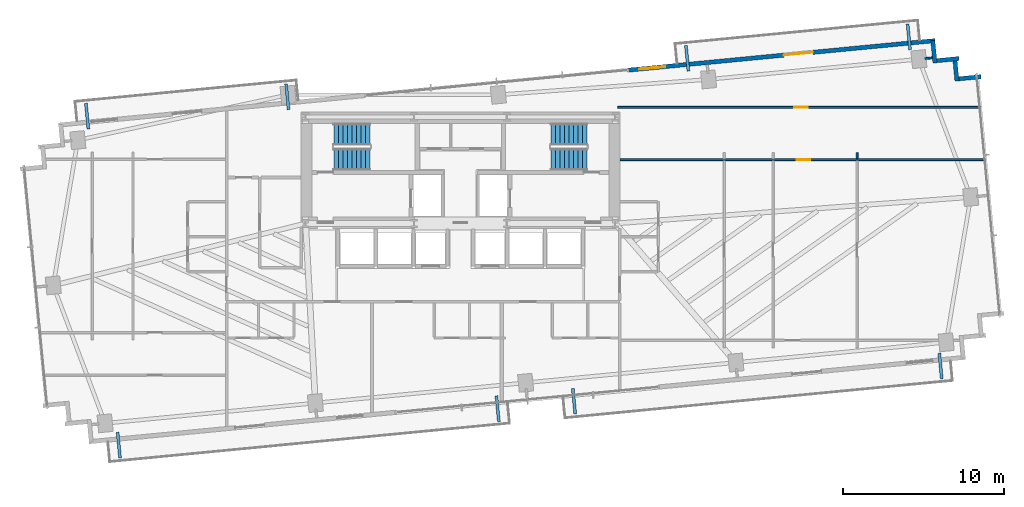
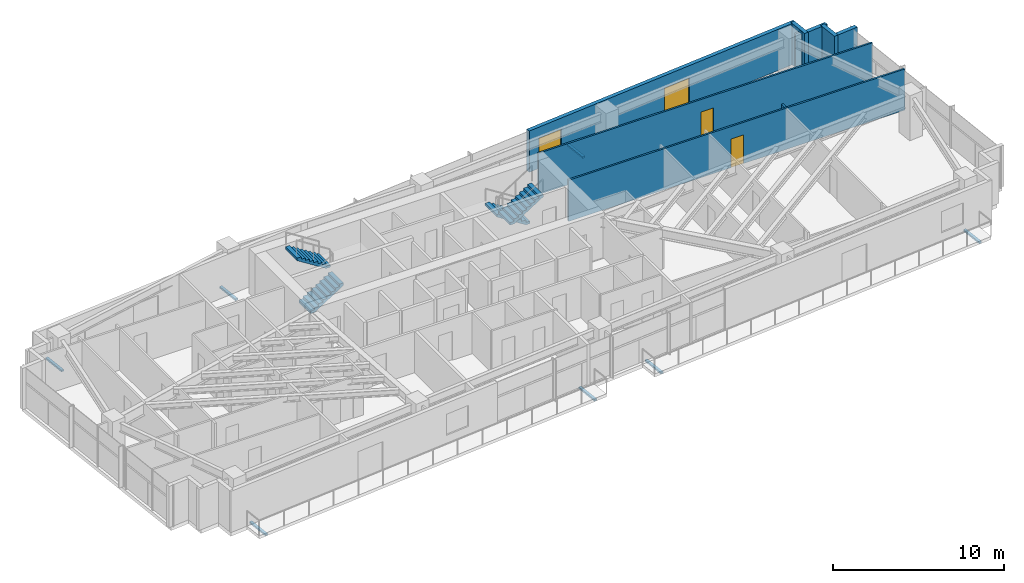
# One storey, part 22 of 25: 9 walls, 8 discrete accessories, 4 stair flights, 3 doors, 1 window, 4 openings, 2 elements without a shape of their own.
"""IFC4 building model written with IfcOpenShell, lengths in metres."""

from ifc_helpers import new_model, si_unit, direction, frame, frame_2d, origin, origin_2d, place, context, subcontext, project, spatial, polyline, rectangle, outline, extrude, source, transform, mapped, material, layer, layer_set, type_object, type_shapes, element, fill, aggregate, save


model = new_model("IFC4")

# Units and contexts
model_context = context("Model", 3, precision=1e-05, world=origin(), true_north=direction((0.0, 1.0)))
body_context = subcontext(model_context, "Body", "Model", "MODEL_VIEW")
ifc_project = project(units=[si_unit("LENGTHUNIT", "METRE"), si_unit("AREAUNIT", "SQUARE_METRE"), si_unit("VOLUMEUNIT", "CUBIC_METRE"), si_unit("PLANEANGLEUNIT", "RADIAN"), si_unit("MASSUNIT", "GRAM", prefix="KILO")], contexts=[model_context])

# Site, building, storey
site_placement = place(None, origin())
site = spatial("IfcSite", under=ifc_project, at=site_placement, CompositionType="ELEMENT")
building_placement = place(site_placement, origin())
building = spatial("IfcBuilding", under=site, at=building_placement, Name="Astriad Promenade Condominiums", CompositionType="ELEMENT")
storey_placement = place(building_placement, frame((0.0, 0.0, 100.199951171875)))
storey = spatial("IfcBuildingStorey", under=building, at=storey_placement, Name="L28", CompositionType="ELEMENT", Elevation=100.199951171875)

# Wall, openings, door, window
ifc_material_1 = material(Name="Precast concrete C50/60", Category="concrete")
ifc_layer_1 = layer(ifc_material_1, 0.260009765625)
ifc_layer_set_1 = layer_set([ifc_layer_1], Name="Precast concrete C50/60")
wall_type_1 = type_object("IfcWallType", Name="WALL-EXT-TWR-260", PredefinedType="STANDARD", material=ifc_layer_set_1)
wall_1_placement = place(storey_placement, frame((46.40625, 26.90966796875, 0.0), z_axis=(0.0, 0.0, 1.0), x_axis=(0.995396638587, 0.095841180552, 0.0)))
wall_1 = element("IfcWall", 1, at=wall_1_placement, inside=storey, type_object=wall_type_1, Name="W-EXT-L28-N2", PredefinedType="STANDARD", context=body_context, shape_type="SweptSolid", body=[
    extrude(rectangle(XDim=19.110107421875, YDim=0.260009765625, at=frame_2d((9.55517578125, 0.0))), origin(), (0.0, 0.0, 1.0), 2.93994140625),
])
opening_1_placement = place(wall_1_placement, frame((9.699951171875, 0.0, 0.0)))
opening_1 = element("IfcOpeningElement", 2, at=opening_1_placement, cuts=wall_1, Name="Opening BD-1822-SLD", PredefinedType="OPENING", context=body_context, shape_type="SweptSolid", body=[
    extrude(rectangle(XDim=1.800048828125, YDim=2.06005859375, at=frame_2d((0.89990234375, 1.030029296875))), frame((0.0, 0.139892578125, 0.0), z_axis=(0.0, -1.0, 0.0), x_axis=(1.0, 0.0, 0.0)), (0.0, 0.0, 1.0), 0.280029296875),
])
opening_2_placement = place(wall_1_placement, frame((0.699951171875, 0.0, 0.64990234375)))
opening_2 = element("IfcOpeningElement", 3, at=opening_2_placement, cuts=wall_1, Name="Opening WIN-TWR-1620", PredefinedType="OPENING", context=body_context, shape_type="SweptSolid", body=[
    extrude(rectangle(XDim=1.60009765625, YDim=1.5, at=frame_2d((0.800048828125, 0.75))), frame((0.0, 0.139892578125, 0.0), z_axis=(0.0, -1.0, 0.0), x_axis=(1.0, 0.0, 0.0)), (0.0, 0.0, 1.0), 0.280029296875),
])
ifc_material_2 = material(Name="Thermally Broken Aluminium Sliding Balcony Door", Category="aluminium")
door_type_1 = type_object("IfcDoorType", Name="BD-1822-SLD", OperationType="NOTDEFINED", PredefinedType="DOOR", material=ifc_material_2)
shared_shape_1 = source(origin(), body_context, "Body", "SweptSolid", [
    extrude(rectangle(XDim=1.800048828125, YDim=2.06005859375, at=frame_2d((0.89990234375, 1.030029296875))), frame((0.0, 0.02490234375, 0.0), z_axis=(0.0, -1.0, 0.0), x_axis=(1.0, 0.0, 0.0)), (0.0, 0.0, 1.0), 0.050048828125),
])
type_shapes(door_type_1, [shared_shape_1])
door_1_placement = place(opening_1_placement, origin())
door_1 = element("IfcDoor", 4, at=door_1_placement, inside=storey, type_object=door_type_1, Name="BD-L28-NE", OperationType="SLIDING_TO_RIGHT", OverallHeight=2.06005859375, OverallWidth=1.800048828125, PredefinedType="DOOR", context=body_context, shape_type="MappedRepresentation", body=[
    mapped(shared_shape_1, transform((0.0, 0.0, 0.0), scale=1.0)),
])
fill(opening_1, door_1)
ifc_material_3 = material(Name="Dark Tinted Triple-Glazed Aluminium Window", Category="aluminium")
window_type = type_object("IfcWindowType", Name="WIN-TWR-1620", PartitioningType="SINGLE_PANEL", PredefinedType="WINDOW", material=ifc_material_3)
shared_shape_2 = source(origin(), body_context, "Body", "SweptSolid", [
    extrude(rectangle(XDim=1.60009765625, YDim=1.5, at=frame_2d((0.800048828125, 0.75))), frame((0.0, 0.030029296875, 0.0), z_axis=(0.0, -1.0, 0.0), x_axis=(1.0, 0.0, 0.0)), (0.0, 0.0, 1.0), 0.06005859375),
])
type_shapes(window_type, [shared_shape_2])
window_placement = place(opening_2_placement, origin())
window = element("IfcWindow", 5, at=window_placement, inside=storey, type_object=window_type, Name="WIN-L28-NE", OverallHeight=1.5, OverallWidth=1.60009765625, PartitioningType="SINGLE_PANEL", PredefinedType="WINDOW", context=body_context, shape_type="MappedRepresentation", body=[
    mapped(shared_shape_2, transform((0.0, 0.0, 0.0), scale=1.0)),
])
fill(opening_2, window)

# Walls
for number, where, z_axis, x_axis, name in (
    (6, (65.297607421875, 28.74365234375, 0.0), (0.0, 0.0, 1.0), (0.095725744959, -0.99540774648, 0.0), "W-SER-L28-09"),
    (7, (65.533203125, 27.49560546875, 0.0), (0.0, 0.0, 1.0), (0.99540774648, 0.095725744959, 0.0), "W-SER-L28-10"),
):
    element("IfcWall", number, at=place(storey_placement, frame(where, z_axis=z_axis, x_axis=x_axis)), inside=storey, type_object=wall_type_1, Name=name, PredefinedType="STANDARD", context=body_context, shape_type="SweptSolid", body=[
        extrude(rectangle(XDim=1.39501953125, YDim=0.260009765625, at=frame_2d((0.697509765625, 0.0))), origin(), (0.0, 0.0, 1.0), 2.93994140625),
    ])
wall_2_placement = place(storey_placement, frame((66.66162109375, 27.619140625, 0.0), z_axis=(0.0, 0.0, 1.0), x_axis=(0.095742423056, -0.99540614245, 0.0)))
element("IfcWall", 8, at=wall_2_placement, inside=storey, type_object=wall_type_1, Name="W-SER-L28-11", PredefinedType="STANDARD", context=body_context, shape_type="SweptSolid", body=[
    extrude(rectangle(XDim=1.394775390625, YDim=0.260009765625, at=frame_2d((0.697265625, 0.0))), origin(), (0.0, 0.0, 1.0), 2.93994140625),
])
wall_3_placement = place(storey_placement, frame((66.897216796875, 26.37109375, 0.0), z_axis=(0.0, 0.0, 1.0), x_axis=(0.995391056452, 0.09589913835, 0.0)))
element("IfcWall", 9, at=wall_3_placement, inside=storey, type_object=wall_type_1, Name="W-SER-L28-12", PredefinedType="STANDARD", context=body_context, shape_type="SweptSolid", body=[
    extrude(rectangle(XDim=1.39501953125, YDim=0.260009765625, at=frame_2d((0.697509765625, 0.0))), origin(), (0.0, 0.0, 1.0), 2.93994140625),
])

# Wall, opening, door
ifc_material_4 = material(Name="Acoustic Metal-Stud Gypsum Partition")
ifc_layer_2 = layer(ifc_material_4, 0.1201171875)
ifc_layer_set_2 = layer_set([ifc_layer_2], Name="Acoustic Metal-Stud Gypsum Partition")
wall_type_2 = type_object("IfcWallType", Name="WALL-PART-120", PredefinedType="PARTITIONING", material=ifc_layer_set_2)
wall_4_placement = place(storey_placement, frame((45.760009765625, 24.60498046875, 0.0), z_axis=(0.0, 0.0, 1.0), x_axis=(1.0, 0.0, 0.0)))
wall_4 = element("IfcWall", 10, at=wall_4_placement, inside=storey, type_object=wall_type_2, Name="PT-L28-E1-WDN1", PredefinedType="PARTITIONING", context=body_context, shape_type="SweptSolid", body=[
    extrude(rectangle(XDim=22.497802734375, YDim=0.1201171875, at=frame_2d((11.2490234375, 0.0))), origin(), (0.0, 0.0, 1.0), 2.93994140625),
])
opening_3_placement = place(wall_4_placement, frame((10.930908203125, 0.0, 0.0)))
opening_3 = element("IfcOpeningElement", 11, at=opening_3_placement, cuts=wall_4, Name="Opening D-INT-085", PredefinedType="OPENING", context=body_context, shape_type="SweptSolid", body=[
    extrude(rectangle(XDim=0.85009765625, YDim=2.050048828125, at=frame_2d((0.425048828125, 1.02490234375))), frame((0.0, 0.070068359375, 0.0), z_axis=(0.0, -1.0, 0.0), x_axis=(1.0, 0.0, 0.0)), (0.0, 0.0, 1.0), 0.14013671875),
])
ifc_material_5 = material(Name="Painted Solid-Core Timber Room Door", Category="wood")
door_type_2 = type_object("IfcDoorType", Name="D-INT-085", OperationType="NOTDEFINED", PredefinedType="DOOR", material=ifc_material_5)
shared_shape_3 = source(origin(), body_context, "Body", "SweptSolid", [
    extrude(rectangle(XDim=0.85009765625, YDim=2.050048828125, at=frame_2d((0.425048828125, 1.02490234375))), frame((0.0, 0.02490234375, 0.0), z_axis=(0.0, -1.0, 0.0), x_axis=(1.0, 0.0, 0.0)), (0.0, 0.0, 1.0), 0.050048828125),
])
type_shapes(door_type_2, [shared_shape_3])
door_2_placement = place(opening_3_placement, origin())
door_2 = element("IfcDoor", 12, at=door_2_placement, inside=storey, type_object=door_type_2, Name="D-WDN1-L28-E1", OperationType="SINGLE_SWING_LEFT", OverallHeight=2.050048828125, OverallWidth=0.85009765625, PredefinedType="DOOR", context=body_context, shape_type="MappedRepresentation", body=[
    mapped(shared_shape_3, transform((0.0, 0.0, 0.0), scale=1.0)),
])
fill(opening_3, door_2)

wall_5_placement = place(storey_placement, frame((45.902099609375, 21.35791015625, 0.0), z_axis=(0.0, 0.0, 1.0), x_axis=(1.0, 0.0, 0.0)))
wall_5 = element("IfcWall", 13, at=wall_5_placement, inside=storey, type_object=wall_type_2, Name="PT-L28-E1-WDN2", PredefinedType="PARTITIONING", context=body_context, shape_type="SweptSolid", body=[
    extrude(rectangle(XDim=22.668212890625, YDim=0.1201171875, at=frame_2d((11.333984375, 0.0))), origin(), (0.0, 0.0, 1.0), 2.93994140625),
])
opening_4_placement = place(wall_5_placement, frame((10.945068359375, 0.0, 0.0)))
opening_4 = element("IfcOpeningElement", 14, at=opening_4_placement, cuts=wall_5, Name="Opening D-INT-085", PredefinedType="OPENING", context=body_context, shape_type="SweptSolid", body=[
    extrude(rectangle(XDim=0.85009765625, YDim=2.050048828125, at=frame_2d((0.425048828125, 1.02490234375))), frame((0.0, 0.070068359375, 0.0), z_axis=(0.0, -1.0, 0.0), x_axis=(1.0, 0.0, 0.0)), (0.0, 0.0, 1.0), 0.14013671875),
])
door_3_placement = place(opening_4_placement, origin())
door_3 = element("IfcDoor", 15, at=door_3_placement, inside=storey, type_object=door_type_2, Name="D-WDN2-L28-E1", OperationType="SINGLE_SWING_RIGHT", OverallHeight=2.050048828125, OverallWidth=0.85009765625, PredefinedType="DOOR", context=body_context, shape_type="MappedRepresentation", body=[
    mapped(shared_shape_3, transform((0.0, 0.0, 0.0), scale=1.0)),
])
fill(opening_4, door_3)

# Walls
wall_6_placement = place(storey_placement, frame((60.596923828125, 21.419921875, 0.0), z_axis=(0.0, 0.0, 1.0), x_axis=(0.0, 1.0, 0.0)))
element("IfcWall", 16, at=wall_6_placement, inside=storey, type_object=wall_type_2, Name="PT-L28-E1-WDV4-S3", PredefinedType="PARTITIONING", context=body_context, shape_type="SweptSolid", body=[
    extrude(rectangle(XDim=0.378173828125, YDim=0.1201171875, at=frame_2d((0.18896484375, 0.0))), origin(), (0.0, 0.0, 1.0), 2.93994140625),
])
wall_7_placement = place(storey_placement, frame((64.812255859375, 27.626953125, 0.0), z_axis=(0.0, 0.0, 1.0), x_axis=(0.995389482415, 0.095915474751, 0.0)))
element("IfcWall", 17, at=wall_7_placement, inside=storey, type_object=wall_type_2, Name="PT-PIL-L28-PC10-17", PredefinedType="PARTITIONING", context=body_context, shape_type="SweptSolid", body=[
    extrude(rectangle(XDim=0.458251953125, YDim=0.1201171875, at=frame_2d((0.22900390625, 0.0))), origin(), (0.0, 0.0, 1.0), 2.93994140625),
])

# Stair, stair flights
ifc_material_6 = material(Name="Concrete C50/60", Category="concrete")
stair_type = type_object("IfcStairType", Name="STR-CORE-1350", PredefinedType="HALF_TURN_STAIR", material=ifc_material_6)
stair_1_placement = place(storey_placement, origin())
stair_1 = element("IfcStair", 18, at=stair_1_placement, inside=storey, type_object=stair_type, Name="L28 Enclosed Core Exit Stair ST-1", PredefinedType="HALF_TURN_STAIR")
stair_flight_type = type_object("IfcStairFlightType", Name="SFL-CORE-1350", PredefinedType="STRAIGHT", material=ifc_material_6)
shared_shape_4 = source(origin(), body_context, "Body", "SweptSolid", [
    extrude(outline(polyline([(0.0, 0.0), (0.0, 0.177734375), (0.280029296875, 0.177734375), (0.280029296875, 0.35546875), (0.56005859375, 0.35546875), (0.56005859375, 0.533447265625), (0.840087890625, 0.533447265625), (0.840087890625, 0.711181640625), (1.1201171875, 0.711181640625), (1.1201171875, 0.888916015625), (1.39990234375, 0.888916015625), (1.39990234375, 1.066650390625), (1.679931640625, 1.066650390625), (1.679931640625, 1.244384765625), (1.9599609375, 1.244384765625), (1.9599609375, 1.422119140625), (2.239990234375, 1.422119140625), (2.239990234375, 1.60009765625), (2.239990234375, 1.24462890625), (0.27978515625, 0.0), (0.0, 0.0)])), frame((0.0, 0.675048828125, 0.0), z_axis=(0.0, -1.0, 0.0), x_axis=(1.0, 0.0, 0.0)), (0.0, 0.0, 1.0), 1.35009765625),
])
type_shapes(stair_flight_type, [shared_shape_4])
stair_flight_1_placement = place(storey_placement, frame((28.14990234375, 21.375, 0.0), z_axis=(0.0, 0.0, 1.0), x_axis=(1.0, 0.0, 0.0)))
stair_flight_1 = element("IfcStairFlight", 19, at=stair_flight_1_placement, type_object=stair_flight_type, Name="ST-1 flight 1", NumberOfRisers=9, NumberOfTreads=8, PredefinedType="STRAIGHT", RiserHeight=0.177777778, TreadLength=0.28, context=body_context, shape_type="MappedRepresentation", body=[
    mapped(shared_shape_4, transform((0.0, 0.0, 0.0), scale=1.0)),
])
stair_flight_2_placement = place(storey_placement, frame((30.389892578125, 22.925048828125, 1.60009765625), z_axis=(0.0, 0.0, 1.0), x_axis=(-1.0, 0.0, 0.0)))
stair_flight_2 = element("IfcStairFlight", 20, at=stair_flight_2_placement, type_object=stair_flight_type, Name="ST-1 flight 2", NumberOfRisers=9, NumberOfTreads=8, PredefinedType="STRAIGHT", RiserHeight=0.177777778, TreadLength=0.28, context=body_context, shape_type="MappedRepresentation", body=[
    mapped(shared_shape_4, transform((0.0, 0.0, 0.0), scale=1.0)),
])
aggregate(stair_1, [stair_flight_1, stair_flight_2])

stair_2_placement = place(storey_placement, origin())
stair_2 = element("IfcStair", 21, at=stair_2_placement, inside=storey, type_object=stair_type, Name="L28 Enclosed Core Exit Stair ST-2", PredefinedType="HALF_TURN_STAIR")
stair_flight_3_placement = place(storey_placement, frame((43.85009765625, 22.925048828125, 0.0), z_axis=(0.0, 0.0, 1.0), x_axis=(-1.0, 0.0, 0.0)))
stair_flight_3 = element("IfcStairFlight", 22, at=stair_flight_3_placement, type_object=stair_flight_type, Name="ST-2 flight 1", NumberOfRisers=9, NumberOfTreads=8, PredefinedType="STRAIGHT", RiserHeight=0.177777778, TreadLength=0.28, context=body_context, shape_type="MappedRepresentation", body=[
    mapped(shared_shape_4, transform((0.0, 0.0, 0.0), scale=1.0)),
])
stair_flight_4_placement = place(storey_placement, frame((41.610107421875, 21.375, 1.60009765625), z_axis=(0.0, 0.0, 1.0), x_axis=(1.0, 0.0, 0.0)))
stair_flight_4 = element("IfcStairFlight", 23, at=stair_flight_4_placement, type_object=stair_flight_type, Name="ST-2 flight 2", NumberOfRisers=9, NumberOfTreads=8, PredefinedType="STRAIGHT", RiserHeight=0.177777778, TreadLength=0.28, context=body_context, shape_type="MappedRepresentation", body=[
    mapped(shared_shape_4, transform((0.0, 0.0, 0.0), scale=1.0)),
])
aggregate(stair_2, [stair_flight_3, stair_flight_4])

# Discrete accessories
ifc_material_7 = material(Name="Steel ASTM A572 Grade 50", Category="steel")
discrete_accessory_type = type_object("IfcDiscreteAccessoryType", Name="STEEL BALCONY OUTRIGGER BRACKET", PredefinedType="BRACKET", material=ifc_material_7)
shared_shape_5 = source(origin(), body_context, "Body", "SweptSolid", [
    extrude(rectangle(XDim=1.60009765625, YDim=0.179931640625, at=origin_2d()), origin(), (0.0, 0.0, 1.0), 0.1220703125),
])
type_shapes(discrete_accessory_type, [shared_shape_5])
for number, where, z_axis, x_axis, name in (
    (24, (14.816650390625, 3.65478515625, -0.340087890625), (0.0, 0.0, 1.0), (0.09584575252, -0.995396198367, 0.0), "Balcony Outrigger Bracket BAL-L28-SW-A"),
    (25, (38.30908203125, 5.916748046875, -0.340087890625), (0.0, 0.0, 1.0), (0.09584575252, -0.995396198367, 0.0), "Balcony Outrigger Bracket BAL-L28-SW-B"),
    (26, (43.046142578125, 6.372802734375, -0.340087890625), (0.0, 0.0, 1.0), (0.09584575252, -0.995396198367, 0.0), "Balcony Outrigger Bracket BAL-L28-SE-A"),
    (27, (65.775146484375, 8.5615234375, -0.340087890625), (0.0, 0.0, 1.0), (0.09584575252, -0.995396198367, 0.0), "Balcony Outrigger Bracket BAL-L28-SE-B"),
    (28, (12.851806640625, 24.060302734375, -0.340087890625), (0.0, 0.0, 1.0), (-0.09584575252, 0.995396198367, 0.0), "Balcony Outrigger Bracket BAL-L28-NW-A"),
    (29, (25.267578125, 25.255859375, -0.340087890625), (0.0, 0.0, 1.0), (-0.09584575252, 0.995396198367, 0.0), "Balcony Outrigger Bracket BAL-L28-NW-B"),
    (30, (50.062744140625, 27.643310546875, -0.340087890625), (0.0, 0.0, 1.0), (-0.09584575252, 0.995396198367, 0.0), "Balcony Outrigger Bracket BAL-L28-NE-A"),
    (31, (63.810302734375, 28.967041015625, -0.340087890625), (0.0, 0.0, 1.0), (-0.09584575252, 0.995396198367, 0.0), "Balcony Outrigger Bracket BAL-L28-NE-B"),
):
    element("IfcDiscreteAccessory", number, at=place(storey_placement, frame(where, z_axis=z_axis, x_axis=x_axis)), inside=storey, type_object=discrete_accessory_type, Name=name, PredefinedType="BRACKET", context=body_context, shape_type="MappedRepresentation", body=[
        mapped(shared_shape_5, transform((0.0, 0.0, 0.0), scale=1.0)),
    ])

save(model, "model.ifc")
